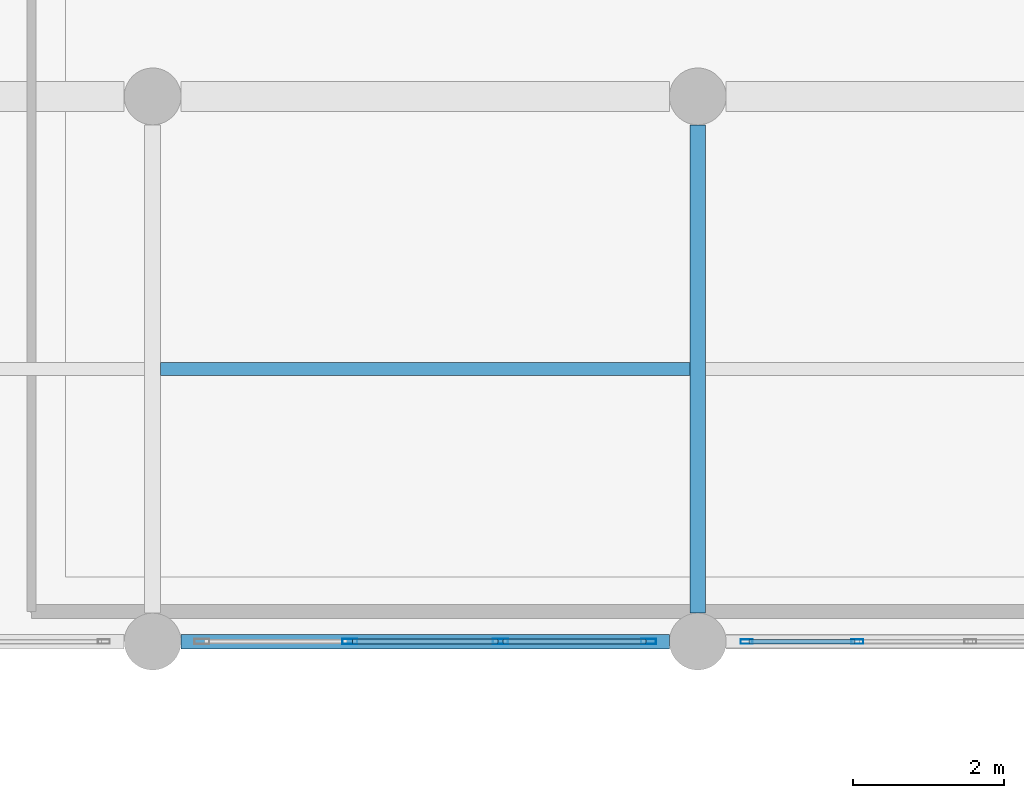
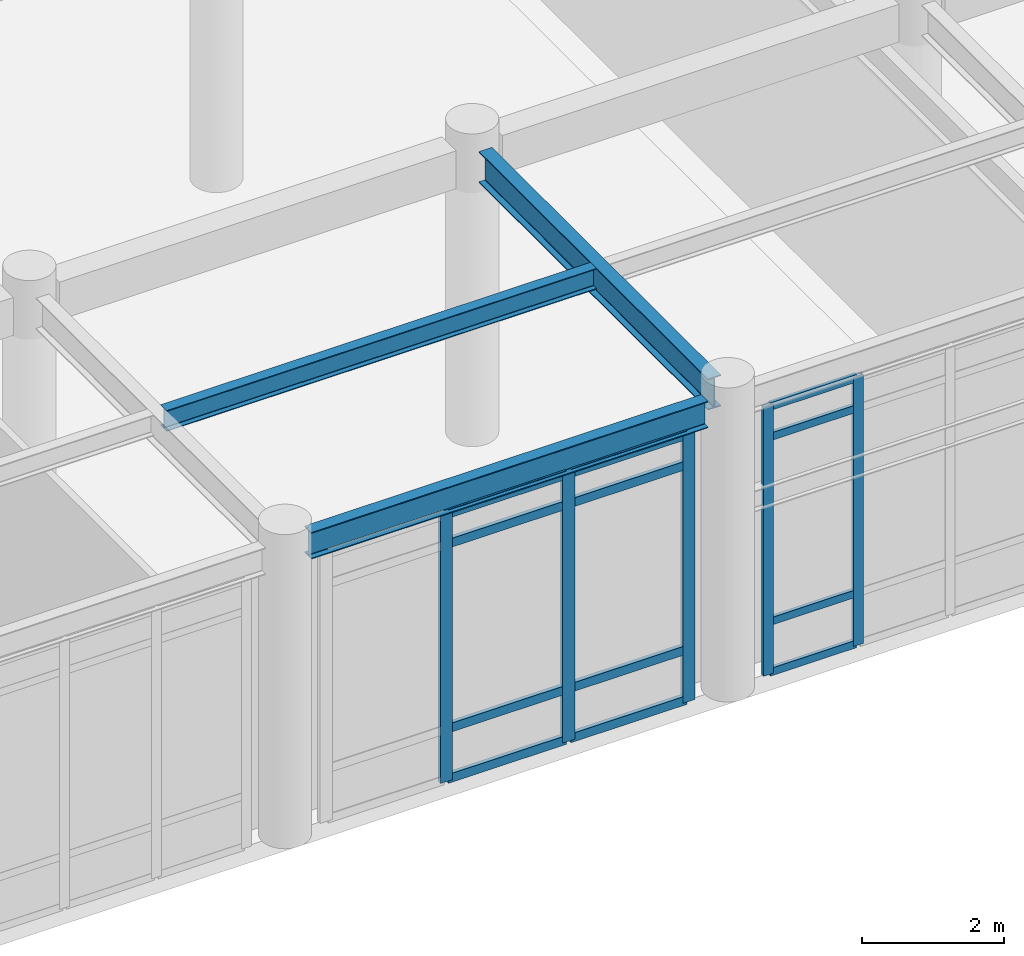
# One storey, part 36 of 102: 17 members, 3 beams, 2 elements without a shape of their own.
"""IFC4 building model written with IfcOpenShell, lengths in metres."""

from ifc_helpers import new_model, si_unit, direction, frame, origin, origin_2d, place, context, subcontext, project, spatial, hollow_rectangle, i_section, extrude, material, layer, layer_set, material_profile, profile_set, type_object, element, aggregate, save


model = new_model("IFC4")

# Units and contexts
model_context = context("Model", 3, precision=1e-05, world=origin(), true_north=direction((0.0, 1.0)))
body_context = subcontext(model_context, "Body", "Model", "MODEL_VIEW")
ifc_project = project(units=[si_unit("LENGTHUNIT", "METRE"), si_unit("AREAUNIT", "SQUARE_METRE"), si_unit("VOLUMEUNIT", "CUBIC_METRE"), si_unit("PLANEANGLEUNIT", "RADIAN"), si_unit("MASSUNIT", "GRAM", prefix="KILO")], contexts=[model_context])

# Site, building, storey
site_placement = place(None, origin())
site = spatial("IfcSite", under=ifc_project, at=site_placement, CompositionType="ELEMENT")
building_placement = place(site_placement, origin())
building = spatial("IfcBuilding", under=site, at=building_placement, Name="Carrowvane Square Congress Hotel", CompositionType="ELEMENT")
storey_placement = place(building_placement, origin())
storey = spatial("IfcBuildingStorey", under=building, at=storey_placement, Name="L00", CompositionType="ELEMENT", Elevation=0.0)

# Beams
ifc_material_1 = material(Name="Steel S355", Category="steel")
ifc_material_profile_1 = material_profile(ifc_material_1, i_section(OverallWidth=0.172119140625, OverallDepth=0.35791015625, WebThickness=0.008056640625, FlangeThickness=0.012939453125, FilletRadius=0.01025390625, at=origin_2d()), Name="UKB 356x171x57")
ifc_profile_set_1 = profile_set([ifc_material_profile_1], Name="Steel S355")
beam_type_1 = type_object("IfcBeamType", Name="BM-ST-UKB356", PredefinedType="JOIST", material=ifc_profile_set_1)
beam_1_placement = place(storey_placement, frame((98.10498046875, 73.800048828125, 4.9208984375), z_axis=(1.0, 0.0, 0.0), x_axis=(0.0, 1.0, 0.0)))
element("IfcBeam", 1, at=beam_1_placement, inside=storey, type_object=beam_type_1, Name="L01 secondary joist 13-14", PredefinedType="JOIST", context=body_context, shape_type="SweptSolid", body=[
    extrude(i_section(OverallWidth=0.172119140625, OverallDepth=0.35791015625, WebThickness=0.008056640625, FlangeThickness=0.012939453125, FilletRadius=0.01025390625, at=origin_2d()), origin(), (0.0, 0.0, 1.0), 6.989990234375),
])
ifc_material_2 = material(Name="Steel S355", Category="steel")
ifc_material_profile_2 = material_profile(ifc_material_2, i_section(OverallWidth=0.19140625, OverallDepth=0.4599609375, WebThickness=0.010009765625, FlangeThickness=0.01611328125, FilletRadius=0.01025390625, at=origin_2d()), Name="UKB 457x191x82")
ifc_profile_set_2 = profile_set([ifc_material_profile_2], Name="Steel S355")
beam_type_2 = type_object("IfcBeamType", Name="BM-ST-UKB457", PredefinedType="SPANDREL", material=ifc_profile_set_2)
beam_2_placement = place(storey_placement, frame((98.375, 70.199951171875, 4.8701171875), z_axis=(1.0, 0.0, 0.0), x_axis=(0.0, 1.0, 0.0)))
element("IfcBeam", 2, at=beam_2_placement, inside=storey, type_object=beam_type_2, Name="L01 girder K/13-14", PredefinedType="SPANDREL", context=body_context, shape_type="SweptSolid", body=[
    extrude(i_section(OverallWidth=0.19140625, OverallDepth=0.4599609375, WebThickness=0.010009765625, FlangeThickness=0.01611328125, FilletRadius=0.01025390625, at=origin_2d()), origin(), (0.0, 0.0, 1.0), 6.449951171875),
])
ifc_material_3 = material(Name="Steel S355", Category="steel")
ifc_material_profile_3 = material_profile(ifc_material_3, i_section(OverallWidth=0.2099609375, OverallDepth=0.53662109375, WebThickness=0.0107421875, FlangeThickness=0.017333984375, FilletRadius=0.0126953125, at=origin_2d()), Name="UKB 533x210x101")
ifc_profile_set_3 = profile_set([ifc_material_profile_3], Name="Steel S355")
beam_type_3 = type_object("IfcBeamType", Name="BM-ST-UKB533", PredefinedType="USERDEFINED", material=ifc_profile_set_3)
beam_3_placement = place(storey_placement, frame((105.199951171875, 70.574951171875, 4.83154296875), z_axis=(0.0, 1.0, 0.0), x_axis=(-1.0, 0.0, 0.0)))
element("IfcBeam", 3, at=beam_3_placement, inside=storey, type_object=beam_type_3, Name="L01 girder 14/K-L", ObjectType="GIRDER", PredefinedType="USERDEFINED", context=body_context, shape_type="SweptSolid", body=[
    extrude(i_section(OverallWidth=0.2099609375, OverallDepth=0.53662109375, WebThickness=0.0107421875, FlangeThickness=0.017333984375, FilletRadius=0.0126953125, at=origin_2d()), origin(), (0.0, 0.0, 1.0), 6.449951171875),
])

# Curtain wall, members
ifc_material_4 = material(Name="Anodised aluminium", Category="aluminium")
ifc_layer_1 = layer(ifc_material_4, 0.2099609375)
ifc_layer_set_1 = layer_set([ifc_layer_1], Name="Anodised aluminium")
curtain_wall_type_1 = type_object("IfcCurtainWallType", Name="CW-SYS-5", PredefinedType="NOTDEFINED", material=ifc_layer_set_1)
curtain_wall_1_placement = place(storey_placement, origin())
curtain_wall_1 = element("IfcCurtainWall", 4, at=curtain_wall_1_placement, inside=storey, type_object=curtain_wall_type_1, Name="L00 unitised curtain wall 52", PredefinedType="NOTDEFINED")
ifc_material_5 = material(Name="Anodised aluminium", Category="aluminium")
ifc_material_profile_4 = material_profile(ifc_material_5, hollow_rectangle(XDim=0.06005859375, YDim=0.159912109375, WallThickness=0.00390625, at=origin_2d()), Name="CW-ML 60x160x4")
ifc_profile_set_4 = profile_set([ifc_material_profile_4], Name="Anodised aluminium")
member_type_1 = type_object("IfcMemberType", Name="CW-MUL-1", PredefinedType="MULLION", material=ifc_profile_set_4)
member_1_placement = place(storey_placement, frame((107.3076171875, 70.199951171875, 0.0), z_axis=(0.0, 0.0, 1.0), x_axis=(0.0, -1.0, 0.0)))
member_1 = element("IfcMember", 5, at=member_1_placement, type_object=member_type_1, Name="CW-5 mullion 4", PredefinedType="MULLION", context=body_context, shape_type="SweptSolid", body=[
    extrude(hollow_rectangle(XDim=0.06005859375, YDim=0.159912109375, WallThickness=0.00390625, at=origin_2d()), origin(), (0.0, 0.0, 1.0), 4.625),
])
member_2_placement = place(storey_placement, frame((105.844970703125, 70.199951171875, 0.0), z_axis=(0.0, 0.0, 1.0), x_axis=(0.0, -1.0, 0.0)))
member_2 = element("IfcMember", 6, at=member_2_placement, type_object=member_type_1, Name="CW-5 mullion 5", PredefinedType="MULLION", context=body_context, shape_type="SweptSolid", body=[
    extrude(hollow_rectangle(XDim=0.06005859375, YDim=0.159912109375, WallThickness=0.00390625, at=origin_2d()), origin(), (0.0, 0.0, 1.0), 4.625),
])

ifc_material_6 = material(Name="Anodised aluminium", Category="aluminium")
ifc_layer_2 = layer(ifc_material_6, 0.221923828125)
ifc_layer_set_2 = layer_set([ifc_layer_2], Name="Anodised aluminium")
curtain_wall_type_2 = type_object("IfcCurtainWallType", Name="CW-SYS-6", PredefinedType="NOTDEFINED", material=ifc_layer_set_2)
curtain_wall_2_placement = place(storey_placement, origin())
curtain_wall_2 = element("IfcCurtainWall", 7, at=curtain_wall_2_placement, inside=storey, type_object=curtain_wall_type_2, Name="L00 unitised curtain wall 53", PredefinedType="NOTDEFINED")
ifc_material_7 = material(Name="Anodised aluminium", Category="aluminium")
ifc_material_profile_5 = material_profile(ifc_material_7, hollow_rectangle(XDim=0.070068359375, YDim=0.199951171875, WallThickness=0.0048828125, at=origin_2d()), Name="CW-ML 70x200x5")
ifc_profile_set_5 = profile_set([ifc_material_profile_5], Name="Anodised aluminium")
member_type_2 = type_object("IfcMemberType", Name="CW-MUL-2", PredefinedType="MULLION", material=ifc_profile_set_5)
member_3_placement = place(storey_placement, frame((104.550048828125, 70.199951171875, 0.0), z_axis=(0.0, 0.0, 1.0), x_axis=(0.0, -1.0, 0.0)))
member_3 = element("IfcMember", 8, at=member_3_placement, type_object=member_type_2, Name="CW-6 mullion 1", PredefinedType="MULLION", context=body_context, shape_type="SweptSolid", body=[
    extrude(hollow_rectangle(XDim=0.070068359375, YDim=0.199951171875, WallThickness=0.0048828125, at=origin_2d()), origin(), (0.0, 0.0, 1.0), 4.625),
])
member_4_placement = place(storey_placement, frame((102.594970703125, 70.199951171875, 0.0), z_axis=(0.0, 0.0, 1.0), x_axis=(0.0, -1.0, 0.0)))
member_4 = element("IfcMember", 9, at=member_4_placement, type_object=member_type_2, Name="CW-6 mullion 2", PredefinedType="MULLION", context=body_context, shape_type="SweptSolid", body=[
    extrude(hollow_rectangle(XDim=0.070068359375, YDim=0.199951171875, WallThickness=0.0048828125, at=origin_2d()), origin(), (0.0, 0.0, 1.0), 4.625),
])
member_5_placement = place(storey_placement, frame((100.60498046875, 70.199951171875, 0.0), z_axis=(0.0, 0.0, 1.0), x_axis=(0.0, -1.0, 0.0)))
member_5 = element("IfcMember", 10, at=member_5_placement, type_object=member_type_2, Name="CW-6 mullion 3", PredefinedType="MULLION", context=body_context, shape_type="SweptSolid", body=[
    extrude(hollow_rectangle(XDim=0.070068359375, YDim=0.199951171875, WallThickness=0.0048828125, at=origin_2d()), origin(), (0.0, 0.0, 1.0), 4.625),
])

# Member
ifc_material_8 = material(Name="Anodised aluminium", Category="aluminium")
ifc_material_profile_6 = material_profile(ifc_material_8, hollow_rectangle(XDim=0.06005859375, YDim=0.1298828125, WallThickness=0.00390625, at=origin_2d()), Name="CW-TR 60x130x4")
ifc_profile_set_6 = profile_set([ifc_material_profile_6], Name="Anodised aluminium")
member_type_3 = type_object("IfcMemberType", Name="CW-TRN-1", PredefinedType="USERDEFINED", material=ifc_profile_set_6)
member_6_placement = place(storey_placement, frame((107.277587890625, 70.199951171875, 0.030029296875), z_axis=(-1.0, 0.0, 0.0), x_axis=(0.0, -1.0, 0.0)))
member_6 = element("IfcMember", 11, at=member_6_placement, type_object=member_type_3, Name="CW-5 transom 4.1", ObjectType="TRANSOM", PredefinedType="USERDEFINED", context=body_context, shape_type="SweptSolid", body=[
    extrude(hollow_rectangle(XDim=0.06005859375, YDim=0.1298828125, WallThickness=0.00390625, at=origin_2d()), origin(), (0.0, 0.0, 1.0), 1.402587890625),
])

member_7_placement = place(storey_placement, frame((107.277587890625, 70.199951171875, 0.89990234375), z_axis=(-1.0, 0.0, 0.0), x_axis=(0.0, -1.0, 0.0)))
member_7 = element("IfcMember", 12, at=member_7_placement, type_object=member_type_3, Name="CW-5 transom 4.2", ObjectType="TRANSOM", PredefinedType="USERDEFINED", context=body_context, shape_type="SweptSolid", body=[
    extrude(hollow_rectangle(XDim=0.06005859375, YDim=0.1298828125, WallThickness=0.00390625, at=origin_2d()), origin(), (0.0, 0.0, 1.0), 1.402587890625),
])

member_8_placement = place(storey_placement, frame((107.277587890625, 70.199951171875, 4.074951171875), z_axis=(-1.0, 0.0, 0.0), x_axis=(0.0, -1.0, 0.0)))
member_8 = element("IfcMember", 13, at=member_8_placement, type_object=member_type_3, Name="CW-5 transom 4.3", ObjectType="TRANSOM", PredefinedType="USERDEFINED", context=body_context, shape_type="SweptSolid", body=[
    extrude(hollow_rectangle(XDim=0.06005859375, YDim=0.1298828125, WallThickness=0.00390625, at=origin_2d()), origin(), (0.0, 0.0, 1.0), 1.402587890625),
])

member_9_placement = place(storey_placement, frame((107.277587890625, 70.199951171875, 4.594970703125), z_axis=(-1.0, 0.0, 0.0), x_axis=(0.0, -1.0, 0.0)))
member_9 = element("IfcMember", 14, at=member_9_placement, type_object=member_type_3, Name="CW-5 transom 4.4", ObjectType="TRANSOM", PredefinedType="USERDEFINED", context=body_context, shape_type="SweptSolid", body=[
    extrude(hollow_rectangle(XDim=0.06005859375, YDim=0.1298828125, WallThickness=0.00390625, at=origin_2d()), origin(), (0.0, 0.0, 1.0), 1.402587890625),
])

aggregate(curtain_wall_1, [member_1, member_2, member_6, member_7, member_8, member_9])

ifc_material_9 = material(Name="Anodised aluminium", Category="aluminium")
ifc_material_profile_7 = material_profile(ifc_material_9, hollow_rectangle(XDim=0.070068359375, YDim=0.14990234375, WallThickness=0.0048828125, at=origin_2d()), Name="CW-TR 70x150x5")
ifc_profile_set_7 = profile_set([ifc_material_profile_7], Name="Anodised aluminium")
member_type_4 = type_object("IfcMemberType", Name="CW-TRN-2", PredefinedType="USERDEFINED", material=ifc_profile_set_7)
member_10_placement = place(storey_placement, frame((104.514892578125, 70.199951171875, 0.034912109375), z_axis=(-1.0, 0.0, 0.0), x_axis=(0.0, -1.0, 0.0)))
member_10 = element("IfcMember", 15, at=member_10_placement, type_object=member_type_4, Name="CW-6 transom 1.1", ObjectType="TRANSOM", PredefinedType="USERDEFINED", context=body_context, shape_type="SweptSolid", body=[
    extrude(hollow_rectangle(XDim=0.070068359375, YDim=0.14990234375, WallThickness=0.0048828125, at=origin_2d()), origin(), (0.0, 0.0, 1.0), 1.885009765625),
])

member_11_placement = place(storey_placement, frame((104.514892578125, 70.199951171875, 0.89990234375), z_axis=(-1.0, 0.0, 0.0), x_axis=(0.0, -1.0, 0.0)))
member_11 = element("IfcMember", 16, at=member_11_placement, type_object=member_type_4, Name="CW-6 transom 1.2", ObjectType="TRANSOM", PredefinedType="USERDEFINED", context=body_context, shape_type="SweptSolid", body=[
    extrude(hollow_rectangle(XDim=0.070068359375, YDim=0.14990234375, WallThickness=0.0048828125, at=origin_2d()), origin(), (0.0, 0.0, 1.0), 1.885009765625),
])

member_12_placement = place(storey_placement, frame((104.514892578125, 70.199951171875, 4.074951171875), z_axis=(-1.0, 0.0, 0.0), x_axis=(0.0, -1.0, 0.0)))
member_12 = element("IfcMember", 17, at=member_12_placement, type_object=member_type_4, Name="CW-6 transom 1.3", ObjectType="TRANSOM", PredefinedType="USERDEFINED", context=body_context, shape_type="SweptSolid", body=[
    extrude(hollow_rectangle(XDim=0.070068359375, YDim=0.14990234375, WallThickness=0.0048828125, at=origin_2d()), origin(), (0.0, 0.0, 1.0), 1.885009765625),
])

member_13_placement = place(storey_placement, frame((104.514892578125, 70.199951171875, 4.590087890625), z_axis=(-1.0, 0.0, 0.0), x_axis=(0.0, -1.0, 0.0)))
member_13 = element("IfcMember", 18, at=member_13_placement, type_object=member_type_4, Name="CW-6 transom 1.4", ObjectType="TRANSOM", PredefinedType="USERDEFINED", context=body_context, shape_type="SweptSolid", body=[
    extrude(hollow_rectangle(XDim=0.070068359375, YDim=0.14990234375, WallThickness=0.0048828125, at=origin_2d()), origin(), (0.0, 0.0, 1.0), 1.885009765625),
])

member_14_placement = place(storey_placement, frame((102.56005859375, 70.199951171875, 0.034912109375), z_axis=(-1.0, 0.0, 0.0), x_axis=(0.0, -1.0, 0.0)))
member_14 = element("IfcMember", 19, at=member_14_placement, type_object=member_type_4, Name="CW-6 transom 2.1", ObjectType="TRANSOM", PredefinedType="USERDEFINED", context=body_context, shape_type="SweptSolid", body=[
    extrude(hollow_rectangle(XDim=0.070068359375, YDim=0.14990234375, WallThickness=0.0048828125, at=origin_2d()), origin(), (0.0, 0.0, 1.0), 1.920166015625),
])

member_15_placement = place(storey_placement, frame((102.56005859375, 70.199951171875, 0.89990234375), z_axis=(-1.0, 0.0, 0.0), x_axis=(0.0, -1.0, 0.0)))
member_15 = element("IfcMember", 20, at=member_15_placement, type_object=member_type_4, Name="CW-6 transom 2.2", ObjectType="TRANSOM", PredefinedType="USERDEFINED", context=body_context, shape_type="SweptSolid", body=[
    extrude(hollow_rectangle(XDim=0.070068359375, YDim=0.14990234375, WallThickness=0.0048828125, at=origin_2d()), origin(), (0.0, 0.0, 1.0), 1.920166015625),
])

member_16_placement = place(storey_placement, frame((102.56005859375, 70.199951171875, 4.074951171875), z_axis=(-1.0, 0.0, 0.0), x_axis=(0.0, -1.0, 0.0)))
member_16 = element("IfcMember", 21, at=member_16_placement, type_object=member_type_4, Name="CW-6 transom 2.3", ObjectType="TRANSOM", PredefinedType="USERDEFINED", context=body_context, shape_type="SweptSolid", body=[
    extrude(hollow_rectangle(XDim=0.070068359375, YDim=0.14990234375, WallThickness=0.0048828125, at=origin_2d()), origin(), (0.0, 0.0, 1.0), 1.920166015625),
])

member_17_placement = place(storey_placement, frame((102.56005859375, 70.199951171875, 4.590087890625), z_axis=(-1.0, 0.0, 0.0), x_axis=(0.0, -1.0, 0.0)))
member_17 = element("IfcMember", 22, at=member_17_placement, type_object=member_type_4, Name="CW-6 transom 2.4", ObjectType="TRANSOM", PredefinedType="USERDEFINED", context=body_context, shape_type="SweptSolid", body=[
    extrude(hollow_rectangle(XDim=0.070068359375, YDim=0.14990234375, WallThickness=0.0048828125, at=origin_2d()), origin(), (0.0, 0.0, 1.0), 1.920166015625),
])

aggregate(curtain_wall_2, [member_3, member_4, member_5, member_10, member_11, member_12, member_13, member_14, member_15, member_16, member_17])

save(model, "model.ifc")
